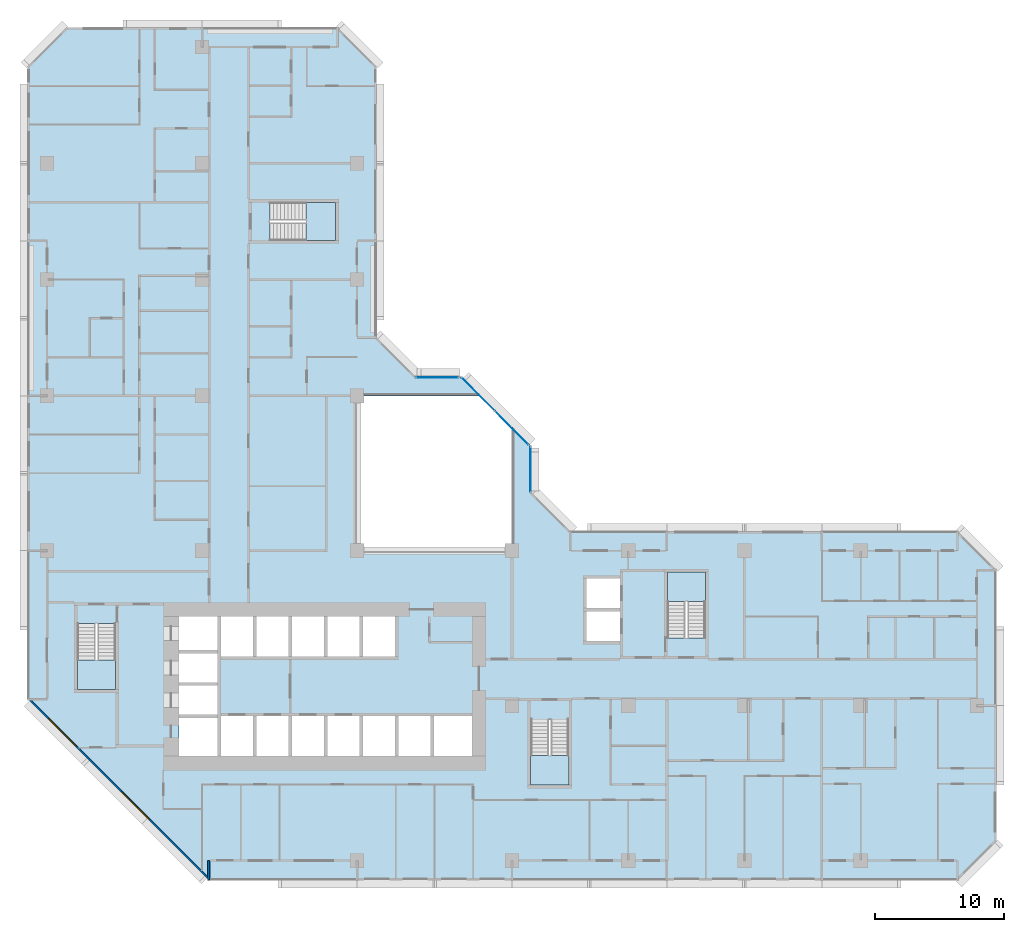
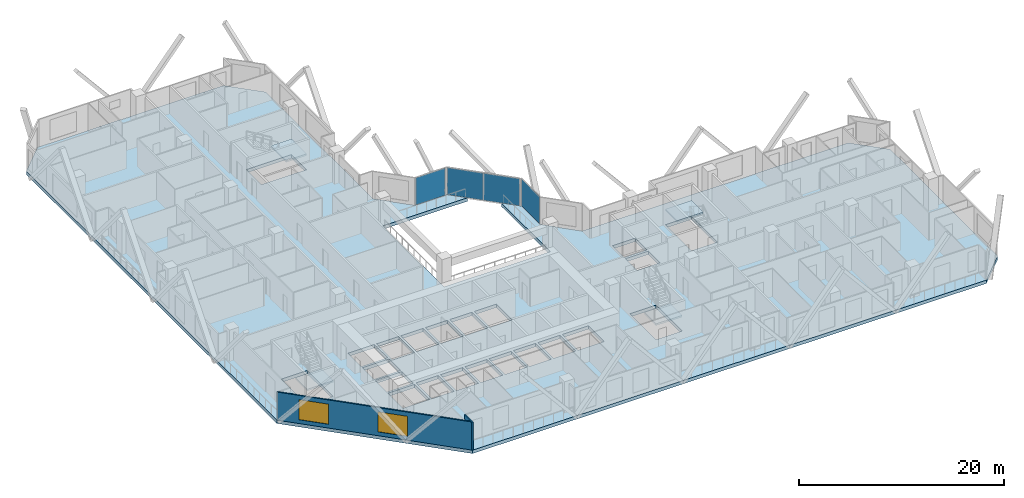
# One storey, part 3 of 15: 5 slabs, 4 plates, 2 walls, 2 windows, 2 openings, 7 elements without a shape of their own.
"""IFC4 building model written with IfcOpenShell, lengths in metres."""

import ifcopenshell
import ifcopenshell.guid

model = None  # the IFC model being written
_history = None  # IfcOwnerHistory: only IFC2X3 demands one
_inside = {}  # id of a spatial element -> (the spatial element, [elements in it])
_under = {}  # id of a project, library or spatial element -> (it, [spatial elements below it])
_declared = {}  # id of a project -> (the project, [libraries it declares])
_typed = {}  # id of a type object -> (the type object, [elements of that type])
_made_of = {}  # id of a material, layer set ... -> (it, [elements and type objects made of it])


def new_model(schema):
    """Start an empty IFC model of exactly this schema.

    Asked for "IFC4X3", IfcOpenShell would pick the latest addendum, in which some entities
    have other attributes; the version numbers below select the first issue.
    IFC2X3 requires an IfcOwnerHistory on every rooted entity: one is made here for all.
    """
    global model, _history
    if schema == "IFC4X3":
        model = ifcopenshell.file(schema_version=(4, 3, 0, 0))
    else:
        model = ifcopenshell.file(schema=schema)
    _inside.clear()
    _under.clear()
    _declared.clear()
    _typed.clear()
    _made_of.clear()
    _history = None
    if model.schema == "IFC2X3":
        org = make("IfcOrganization", Name="unknown")
        user = make(
            "IfcPersonAndOrganization",
            ThePerson=make("IfcPerson", FamilyName="unknown"),
            TheOrganization=org,
        )
        app = make(
            "IfcApplication",
            ApplicationDeveloper=org,
            Version="unknown",
            ApplicationFullName="unknown",
            ApplicationIdentifier="unknown",
        )
        _history = make(
            "IfcOwnerHistory",
            OwningUser=user,
            OwningApplication=app,
            ChangeAction="ADDED",
            CreationDate=0,
        )
    return model


def make(cls, **values):
    """One entity of the class cls with the attributes given. An attribute that is None is left unset."""
    return model.create_entity(
        cls, **{name: value for name, value in values.items() if value is not None}
    )


def rooted(cls, **values):
    """An entity with a GlobalId (a new one), such as an element, a storey or a relation."""
    return make(cls, GlobalId=ifcopenshell.guid.new(), OwnerHistory=_history, **values)


def si_unit(unit_type, name, prefix=None):
    """IfcSIUnit, for example si_unit("LENGTHUNIT", "METRE", prefix="MILLI")."""
    return make("IfcSIUnit", UnitType=unit_type, Prefix=prefix, Name=name)


def assignment(units):
    """IfcUnitAssignment: the units of a project."""
    return None if units is None else make("IfcUnitAssignment", Units=units)


def point(xyz):
    """IfcCartesianPoint."""
    return None if xyz is None else make("IfcCartesianPoint", Coordinates=xyz)


def direction(xyz):
    """IfcDirection."""
    return None if xyz is None else make("IfcDirection", DirectionRatios=xyz)


def frame(location, z_axis=None, x_axis=None):
    """IfcAxis2Placement3D, a coordinate frame: its origin and axes. An axis left out is left unset."""
    return make(
        "IfcAxis2Placement3D",
        Location=point(location),
        Axis=direction(z_axis),
        RefDirection=direction(x_axis),
    )


def frame_2d(location, x_axis=None):
    """IfcAxis2Placement2D, a coordinate frame in the plane: its origin and x axis."""
    return make(
        "IfcAxis2Placement2D", Location=point(location), RefDirection=direction(x_axis)
    )


def origin():
    """The frame at (0, 0, 0) with its axes left unset."""
    return frame((0.0, 0.0, 0.0))


def origin_2d():
    """The frame at (0, 0) in the plane with its x axis left unset."""
    return frame_2d((0.0, 0.0))


def place(relative_to, where):
    """IfcLocalPlacement: puts the frame where relative to a parent placement (None: the world)."""
    return make(
        "IfcLocalPlacement", PlacementRelTo=relative_to, RelativePlacement=where
    )


def context(
    kind, dimensions, precision=None, world=None, true_north=None, identifier=None
):
    """IfcGeometricRepresentationContext, for example the 3D "Model" context."""
    return make(
        "IfcGeometricRepresentationContext",
        ContextIdentifier=identifier,
        ContextType=kind,
        CoordinateSpaceDimension=dimensions,
        Precision=precision,
        WorldCoordinateSystem=world,
        TrueNorth=true_north,
    )


def subcontext(parent, identifier, kind, view, scale=None):
    """IfcGeometricRepresentationSubContext, for example "Body" below "Model"."""
    return make(
        "IfcGeometricRepresentationSubContext",
        ContextIdentifier=identifier,
        ContextType=kind,
        ParentContext=parent,
        TargetScale=scale,
        TargetView=view,
    )


def project(units=None, contexts=None):
    """IfcProject with its units and contexts."""
    return rooted(
        "IfcProject",
        Name="project",
        RepresentationContexts=contexts,
        UnitsInContext=assignment(units),
    )


def spatial(cls, under=None, at=None, **own):
    """A site, building, storey or space (cls), placed at a placement, below another one or the project."""
    s = rooted(cls, ObjectPlacement=at, **own)
    if under is not None:
        _under.setdefault(under.id(), (under, []))[1].append(s)
    return s


def polyline(points):
    """IfcPolyline through the points."""
    return make("IfcPolyline", Points=[point(p) for p in points])


def profile(cls, at=None, kind="AREA", **sizes):
    """A parametric profile (cls). Its sizes go by their IFC names, for example OverallWidth=200.0."""
    return make(cls, ProfileType=kind, Position=at, **sizes)


def rectangle(**sizes):
    """IfcRectangleProfileDef."""
    return profile("IfcRectangleProfileDef", **sizes)


def outline(outer, holes=None, kind="AREA"):
    """IfcArbitraryClosedProfileDef: a profile drawn as a closed curve; with holes, ...WithVoids."""
    if holes is None:
        return make("IfcArbitraryClosedProfileDef", ProfileType=kind, OuterCurve=outer)
    return make(
        "IfcArbitraryProfileDefWithVoids",
        ProfileType=kind,
        OuterCurve=outer,
        InnerCurves=holes,
    )


def extrude(swept, where, along, depth):
    """IfcExtrudedAreaSolid: the profile swept, set in the frame where, extruded along a direction by depth."""
    return make(
        "IfcExtrudedAreaSolid",
        SweptArea=swept,
        Position=where,
        ExtrudedDirection=direction(along),
        Depth=depth,
    )


def shape(context_of_items, identifier, shape_type, items):
    """IfcShapeRepresentation: the items that make up one representation, for example the "Body"."""
    return make(
        "IfcShapeRepresentation",
        ContextOfItems=context_of_items,
        RepresentationIdentifier=identifier,
        RepresentationType=shape_type,
        Items=items,
    )


def material(Name=None, Category=None):
    """IfcMaterial."""
    return make("IfcMaterial", Name=Name, Category=Category)


def layer(
    of_material, thickness, ventilated=None, Name=None, Category=None, Priority=None
):
    """IfcMaterialLayer: one layer of a wall or slab, of a material (None: an air gap)."""
    return make(
        "IfcMaterialLayer",
        Material=of_material,
        LayerThickness=thickness,
        IsVentilated=ventilated,
        Name=Name,
        Category=Category,
        Priority=Priority,
    )


def layer_set(layers, Name=None):
    """IfcMaterialLayerSet."""
    return make("IfcMaterialLayerSet", MaterialLayers=layers, LayerSetName=Name)


def made_of(thing, what):
    """Note that an element or type object is made of a material, layer set ...; save() writes the relation."""
    if what is not None:
        _made_of.setdefault(what.id(), (what, []))[1].append(thing)
    return thing


def type_object(cls, material=None, **own):
    """A type object (cls), such as IfcWallType, which elements share."""
    return made_of(rooted(cls, **own), material)


def element(
    cls,
    number,
    at=None,
    inside=None,
    cuts=None,
    type_object=None,
    material=None,
    context=None,
    identifier="Body",
    shape_type=None,
    held_by="IfcProductDefinitionShape",
    body=None,
    shapes=None,
    **own,
):
    """One element of the class cls, such as IfcWall. Its Tag is "e" and its number.

    at: its placement. inside: the storey or other place that contains it. cuts: it is an
    opening in that element (IfcRelVoidsElement). A single representation is given by context,
    identifier, shape_type and body (its items); several are given by shapes. held_by: the class
    of the entity that holds the representations. save() writes the other relations.
    """
    e = rooted(cls, Tag="e%d" % number, ObjectPlacement=at, **own)
    if body is not None:
        shapes = [shape(context, identifier, shape_type, body)]
    if shapes is not None:
        e.Representation = make(held_by, Representations=shapes)
    if inside is not None:
        _inside.setdefault(inside.id(), (inside, []))[1].append(e)
    if cuts is not None:
        rooted(
            "IfcRelVoidsElement", RelatingBuildingElement=cuts, RelatedOpeningElement=e
        )
    if type_object is not None:
        _typed.setdefault(type_object.id(), (type_object, []))[1].append(e)
    return made_of(e, material)


def fill(opening, filler):
    """IfcRelFillsElement: the door or window that sits in an opening."""
    return rooted(
        "IfcRelFillsElement",
        RelatingOpeningElement=opening,
        RelatedBuildingElement=filler,
    )


def aggregate(whole, parts):
    """IfcRelAggregates: a whole, such as a stair, and the parts it consists of."""
    return rooted("IfcRelAggregates", RelatingObject=whole, RelatedObjects=parts)


def save(model, path):
    """Write the relations noted so far, then the file.

    IfcRelAggregates (storeys below a building ...), IfcRelContainedInSpatialStructure (elements
    in a storey), IfcRelDefinesByType, IfcRelAssociatesMaterial and IfcRelDeclares: one each for
    every whole, place, type object, material and project.
    """
    for whole, parts in _under.values():
        aggregate(whole, parts)
    for where, things in _inside.values():
        rooted(
            "IfcRelContainedInSpatialStructure",
            RelatedElements=things,
            RelatingStructure=where,
        )
    for kind, things in _typed.values():
        rooted("IfcRelDefinesByType", RelatedObjects=things, RelatingType=kind)
    for what, things in _made_of.values():
        rooted("IfcRelAssociatesMaterial", RelatedObjects=things, RelatingMaterial=what)
    for by, libraries in _declared.values():
        rooted("IfcRelDeclares", RelatingContext=by, RelatedDefinitions=libraries)
    model.write(path)


model = new_model("IFC4")

# Units and contexts
model_context = context("Model", 3, precision=1e-05, world=origin(), true_north=direction((0.0, 1.0)))
body_context = subcontext(model_context, "Body", "Model", "MODEL_VIEW")
ifc_project = project(units=[si_unit("LENGTHUNIT", "METRE"), si_unit("AREAUNIT", "SQUARE_METRE"), si_unit("VOLUMEUNIT", "CUBIC_METRE"), si_unit("PLANEANGLEUNIT", "RADIAN"), si_unit("MASSUNIT", "GRAM", prefix="KILO")], contexts=[model_context])

# Site, building, storey
site_placement = place(None, origin())
site = spatial("IfcSite", under=ifc_project, at=site_placement, CompositionType="ELEMENT")
building_placement = place(site_placement, origin())
building = spatial("IfcBuilding", under=site, at=building_placement, Name="Chenar Terraces", CompositionType="ELEMENT")
storey_placement = place(building_placement, frame((0.0, 0.0, 41.39990234375)))
storey = spatial("IfcBuildingStorey", under=building, at=storey_placement, Name="L07", CompositionType="ELEMENT", Elevation=41.39990234375)

# Curtain wall, plate
ifc_material_1 = material(Name="Aluminium framed glazing", Category="aluminium")
ifc_layer_1 = layer(ifc_material_1, 0.14990234375)
ifc_layer_set_1 = layer_set([ifc_layer_1], Name="Aluminium framed glazing")
curtain_wall_type = type_object("IfcCurtainWallType", Name="Atrium curtain wall", PredefinedType="NOTDEFINED", material=ifc_layer_set_1)
placement_1 = place(storey_placement, origin())
curtain_wall_1 = element("IfcCurtainWall", 1, at=placement_1, inside=storey, type_object=curtain_wall_type, Name="Atrium curtain wall", PredefinedType="NOTDEFINED")
ifc_material_2 = material(Name="Low emissivity laminated glass, solar control coating", Category="glass")
ifc_layer_2 = layer(ifc_material_2, 0.028076171875)
ifc_layer_set_2 = layer_set([ifc_layer_2], Name="Low emissivity laminated glass, solar control coating")
plate_type = type_object("IfcPlateType", Name="Atrium glazing panel 28", PredefinedType="CURTAIN_PANEL", material=ifc_layer_set_2)
plate_1_placement = place(storey_placement, frame((37.425048828125, 30.300048828125, 0.06005859375), z_axis=(0.0, 0.0, 1.0), x_axis=(0.0, 1.0, 0.0)))
plate_1 = element("IfcPlate", 2, at=plate_1_placement, type_object=plate_type, Name="CW1-1 panel 1.1", PredefinedType="CURTAIN_PANEL", context=body_context, shape_type="SweptSolid", body=[
    extrude(rectangle(XDim=3.47998046875, YDim=0.028076171875, at=origin_2d()), origin(), (0.0, 0.0, 1.0), 3.22998046875),
])
aggregate(curtain_wall_1, [plate_1])

# Curtain wall, plates
curtain_wall_2 = element("IfcCurtainWall", 3, at=placement_1, inside=storey, type_object=curtain_wall_type, Name="Atrium curtain wall", PredefinedType="NOTDEFINED")
plate_2_placement = place(storey_placement, frame((35.980224609375, 33.513671875, 0.06005859375), z_axis=(0.0, 0.0, 1.0), x_axis=(-0.707106781187, 0.707106781187, 0.0)))
plate_2 = element("IfcPlate", 4, at=plate_2_placement, type_object=plate_type, Name="CW1-2 panel 1.1", PredefinedType="CURTAIN_PANEL", context=body_context, shape_type="SweptSolid", body=[
    extrude(rectangle(XDim=3.62841796875, YDim=0.028076171875, at=origin_2d()), origin(), (0.0, 0.0, 1.0), 3.22998046875),
])
plate_3_placement = place(storey_placement, frame((33.3720703125, 36.121826171875, 0.06005859375), z_axis=(0.0, 0.0, 1.0), x_axis=(-0.707106781187, 0.707106781187, 0.0)))
plate_3 = element("IfcPlate", 5, at=plate_3_placement, type_object=plate_type, Name="CW1-2 panel 2.1", PredefinedType="CURTAIN_PANEL", context=body_context, shape_type="SweptSolid", body=[
    extrude(rectangle(XDim=3.62841796875, YDim=0.028076171875, at=origin_2d()), origin(), (0.0, 0.0, 1.0), 3.22998046875),
])
aggregate(curtain_wall_2, [plate_2, plate_3])

# Curtain wall, plate
curtain_wall_3 = element("IfcCurtainWall", 6, at=placement_1, inside=storey, type_object=curtain_wall_type, Name="Atrium curtain wall", PredefinedType="NOTDEFINED")
plate_4_placement = place(storey_placement, frame((30.199951171875, 37.425048828125, 0.06005859375), z_axis=(0.0, 0.0, 1.0), x_axis=(-1.0, 0.0, 0.0)))
plate_4 = element("IfcPlate", 7, at=plate_4_placement, type_object=plate_type, Name="CW1-3 panel 1.1", PredefinedType="CURTAIN_PANEL", context=body_context, shape_type="SweptSolid", body=[
    extrude(rectangle(XDim=3.280029296875, YDim=0.028076171875, at=origin_2d()), origin(), (0.0, 0.0, 1.0), 3.22998046875),
])
aggregate(curtain_wall_3, [plate_4])

# Stair, slab
ifc_material_3 = material(Name="Reinforced concrete C40/50", Category="concrete")
stair_type = type_object("IfcStairType", Name="Core stair 1400 half-turn", PredefinedType="HALF_TURN_STAIR", material=ifc_material_3)
stair_1 = element("IfcStair", 8, at=placement_1, inside=storey, type_object=stair_type, Name="L07 Stair 1", PredefinedType="HALF_TURN_STAIR")
ifc_material_4 = material(Name="Reinforced concrete C40/50", Category="concrete")
ifc_layer_3 = layer(ifc_material_4, 0.199951171875)
ifc_layer_set_3 = layer_set([ifc_layer_3], Name="Reinforced concrete C40/50")
slab_type_1 = type_object("IfcSlabType", Name="Core stair landing 200", PredefinedType="LANDING", material=ifc_layer_set_3)
placement_2 = place(storey_placement, frame((0.0, 0.0, 1.675048828125)))
slab_1 = element("IfcSlab", 9, at=placement_2, type_object=slab_type_1, Name="ST1 landing 1", PredefinedType="LANDING", context=body_context, shape_type="SweptSolid", body=[
    extrude(outline(polyline([(2.35009765625, 15.550048828125), (2.35009765625, 13.25), (5.300048828125, 13.25), (5.300048828125, 15.550048828125), (2.35009765625, 15.550048828125)])), origin(), (0.0, 0.0, 1.0), 0.199951171875),
])
aggregate(stair_1, [slab_1])

stair_2 = element("IfcStair", 10, at=placement_1, inside=storey, type_object=stair_type, Name="L07 Stair 2", PredefinedType="HALF_TURN_STAIR")
slab_2 = element("IfcSlab", 11, at=placement_2, type_object=slab_type_1, Name="ST2 landing 1", PredefinedType="LANDING", context=body_context, shape_type="SweptSolid", body=[
    extrude(outline(polyline([(37.449951171875, 8.14990234375), (37.449951171875, 5.85009765625), (40.39990234375, 5.85009765625), (40.39990234375, 8.14990234375), (37.449951171875, 8.14990234375)])), origin(), (0.0, 0.0, 1.0), 0.199951171875),
])
aggregate(stair_2, [slab_2])

stair_3 = element("IfcStair", 12, at=placement_1, inside=storey, type_object=stair_type, Name="L07 Stair 3", PredefinedType="HALF_TURN_STAIR")
slab_3 = element("IfcSlab", 13, at=placement_2, type_object=slab_type_1, Name="ST3 landing 1", PredefinedType="LANDING", context=body_context, shape_type="SweptSolid", body=[
    extrude(outline(polyline([(50.97509765625, 20.050048828125), (50.97509765625, 22.35009765625), (48.02490234375, 22.35009765625), (48.02490234375, 20.050048828125), (50.97509765625, 20.050048828125)])), origin(), (0.0, 0.0, 1.0), 0.199951171875),
])
aggregate(stair_3, [slab_3])

stair_4 = element("IfcStair", 14, at=placement_1, inside=storey, type_object=stair_type, Name="L07 Stair 4", PredefinedType="HALF_TURN_STAIR")
slab_4 = element("IfcSlab", 15, at=placement_2, type_object=slab_type_1, Name="ST4 landing 1", PredefinedType="LANDING", context=body_context, shape_type="SweptSolid", body=[
    extrude(outline(polyline([(20.050048828125, 48.02490234375), (22.35009765625, 48.02490234375), (22.35009765625, 50.97509765625), (20.050048828125, 50.97509765625), (20.050048828125, 48.02490234375)])), origin(), (0.0, 0.0, 1.0), 0.199951171875),
])
aggregate(stair_4, [slab_4])

# Slab
ifc_material_5 = material(Name="Concrete C40/50", Category="concrete")
ifc_layer_4 = layer(ifc_material_5, 0.39990234375)
ifc_layer_set_4 = layer_set([ifc_layer_4], Name="Concrete C40/50")
slab_type_2 = type_object("IfcSlabType", Name="Floor slab 400 Concrete C40/50", PredefinedType="FLOOR", material=ifc_layer_set_4)
slab_5_placement = place(storey_placement, frame((0.0, 0.0, -0.39990234375)))
element("IfcSlab", 16, at=slab_5_placement, inside=storey, type_object=slab_type_2, Name="Floor slab L07", PredefinedType="FLOOR", context=body_context, shape_type="SweptSolid", body=[
    extrude(outline(polyline([(73.5, 22.5), (73.5, 1.5), (70.5, -1.5), (12.5, -1.5), (-1.5, 12.5), (-1.5, 61.5), (1.5, 64.5), (22.5, 64.5), (25.5, 61.5), (25.5, 40.5), (28.5, 37.5), (32.10009765625, 37.5), (33.60009765625, 36.0), (24.0, 36.0), (24.0, 24.0), (36.0, 24.0), (36.0, 33.60009765625), (37.5, 32.10009765625), (37.5, 28.5), (40.5, 25.5), (70.5, 25.5), (73.5, 22.5)]), holes=[polyline([(13.199951171875, 11.050048828125), (10.199951171875, 11.050048828125), (10.199951171875, 8.10009765625), (13.199951171875, 8.10009765625), (13.199951171875, 11.050048828125)]), polyline([(15.949951171875, 11.199951171875), (13.449951171875, 11.199951171875), (13.449951171875, 8.10009765625), (15.949951171875, 8.10009765625), (15.949951171875, 11.199951171875)]), polyline([(18.699951171875, 11.199951171875), (16.199951171875, 11.199951171875), (16.199951171875, 8.10009765625), (18.699951171875, 8.10009765625), (18.699951171875, 11.199951171875)]), polyline([(21.449951171875, 8.10009765625), (21.449951171875, 11.199951171875), (18.949951171875, 11.199951171875), (18.949951171875, 8.10009765625), (21.449951171875, 8.10009765625)]), polyline([(13.199951171875, 11.300048828125), (13.199951171875, 13.550048828125), (10.199951171875, 13.550048828125), (10.199951171875, 11.300048828125), (13.199951171875, 11.300048828125)]), polyline([(13.199951171875, 16.050048828125), (10.199951171875, 16.050048828125), (10.199951171875, 13.800048828125), (13.199951171875, 13.800048828125), (13.199951171875, 16.050048828125)]), polyline([(2.35009765625, 18.35009765625), (2.35009765625, 13.25), (5.300048828125, 13.25), (5.300048828125, 18.35009765625), (2.35009765625, 18.35009765625)]), polyline([(15.949951171875, 15.800048828125), (15.949951171875, 18.89990234375), (13.449951171875, 18.89990234375), (13.449951171875, 15.800048828125), (15.949951171875, 15.800048828125)]), polyline([(18.699951171875, 18.89990234375), (16.199951171875, 18.89990234375), (16.199951171875, 15.800048828125), (18.699951171875, 15.800048828125), (18.699951171875, 18.89990234375)]), polyline([(21.449951171875, 15.800048828125), (21.449951171875, 18.89990234375), (18.949951171875, 18.89990234375), (18.949951171875, 15.800048828125), (21.449951171875, 15.800048828125)]), polyline([(13.199951171875, 16.300048828125), (13.199951171875, 18.89990234375), (10.199951171875, 18.89990234375), (10.199951171875, 16.300048828125), (13.199951171875, 16.300048828125)]), polyline([(22.35009765625, 48.02490234375), (22.35009765625, 50.97509765625), (17.25, 50.97509765625), (17.25, 48.02490234375), (22.35009765625, 48.02490234375)]), polyline([(37.449951171875, 10.949951171875), (37.449951171875, 5.85009765625), (40.39990234375, 5.85009765625), (40.39990234375, 10.949951171875), (37.449951171875, 10.949951171875)]), polyline([(24.199951171875, 8.10009765625), (24.199951171875, 11.199951171875), (21.699951171875, 11.199951171875), (21.699951171875, 8.10009765625), (24.199951171875, 8.10009765625)]), polyline([(26.949951171875, 11.199951171875), (24.449951171875, 11.199951171875), (24.449951171875, 8.10009765625), (26.949951171875, 8.10009765625), (26.949951171875, 11.199951171875)]), polyline([(29.699951171875, 8.10009765625), (29.699951171875, 11.199951171875), (27.199951171875, 11.199951171875), (27.199951171875, 8.10009765625), (29.699951171875, 8.10009765625)]), polyline([(32.89990234375, 8.10009765625), (32.89990234375, 11.199951171875), (29.949951171875, 11.199951171875), (29.949951171875, 8.10009765625), (32.89990234375, 8.10009765625)]), polyline([(24.199951171875, 18.89990234375), (21.699951171875, 18.89990234375), (21.699951171875, 15.800048828125), (24.199951171875, 15.800048828125), (24.199951171875, 18.89990234375)]), polyline([(26.949951171875, 15.800048828125), (26.949951171875, 18.89990234375), (24.449951171875, 18.89990234375), (24.449951171875, 15.800048828125), (26.949951171875, 15.800048828125)]), polyline([(44.35009765625, 17.0), (44.35009765625, 19.300048828125), (41.75, 19.300048828125), (41.75, 17.0), (44.35009765625, 17.0)]), polyline([(50.97509765625, 22.35009765625), (48.02490234375, 22.35009765625), (48.02490234375, 17.25), (50.97509765625, 17.25), (50.97509765625, 22.35009765625)]), polyline([(44.35009765625, 19.550048828125), (44.35009765625, 21.85009765625), (41.75, 21.85009765625), (41.75, 19.550048828125), (44.35009765625, 19.550048828125)])]), origin(), (0.0, 0.0, 1.0), 0.39990234375),
])

# Wall
ifc_material_6 = material(Name="Terracotta cladding on insulated backing", Category="masonry")
ifc_layer_5 = layer(ifc_material_6, 0.14990234375)
ifc_layer_set_5 = layer_set([ifc_layer_5], Name="Terracotta cladding on insulated backing")
wall_type_1 = type_object("IfcWallType", Name="Loggia return wall 150", PredefinedType="SOLIDWALL", material=ifc_layer_set_5)
wall_1_placement = place(storey_placement, frame((12.5, -1.5, 0.0), z_axis=(0.0, 0.0, 1.0), x_axis=(0.0, 1.0, 0.0)))
element("IfcWall", 17, at=wall_1_placement, inside=storey, type_object=wall_type_1, Name="Loggia return wall", PredefinedType="SOLIDWALL", context=body_context, shape_type="SweptSolid", body=[
    extrude(rectangle(XDim=1.5, YDim=0.14990234375, at=frame_2d((0.75, 0.0))), origin(), (0.0, 0.0, 1.0), 3.35009765625),
])

# Wall, openings, windows
ifc_material_7 = material(Name="Terracotta cladding on insulated backing", Category="masonry")
ifc_layer_6 = layer(ifc_material_7, 0.14990234375)
ifc_layer_set_6 = layer_set([ifc_layer_6], Name="Terracotta cladding on insulated backing")
wall_type_2 = type_object("IfcWallType", Name="Terracotta rainscreen wall 150", PredefinedType="SOLIDWALL", material=ifc_layer_set_6)
wall_2_placement = place(storey_placement, frame((-1.447021484375, 12.552978515625, 0.0), z_axis=(0.0, 0.0, 1.0), x_axis=(0.707106781187, -0.707106781187, 0.0)))
wall_2 = element("IfcWall", 18, at=wall_2_placement, inside=storey, type_object=wall_type_2, Name="Terracotta rainscreen wall", PredefinedType="SOLIDWALL", context=body_context, shape_type="SweptSolid", body=[
    extrude(rectangle(XDim=19.799072265625, YDim=0.14990234375, at=frame_2d((9.8994140625, 0.0))), origin(), (0.0, 0.0, 1.0), 3.35009765625),
])
opening_1_placement = place(wall_2_placement, frame((2.21240234375, 0.0, 0.449951171875)))
opening_1 = element("IfcOpeningElement", 19, at=opening_1_placement, cuts=wall_2, Name="Opening W300x240", PredefinedType="OPENING", context=body_context, shape_type="SweptSolid", body=[
    extrude(rectangle(XDim=3.0, YDim=2.39990234375, at=frame_2d((1.5, 1.199951171875))), frame((0.0, 0.0849609375, 0.0), z_axis=(0.0, -1.0, 0.0), x_axis=(1.0, 0.0, 0.0)), (0.0, 0.0, 1.0), 0.169921875),
])
opening_2_placement = place(wall_2_placement, frame((10.215576171875, 0.0, 0.449951171875)))
opening_2 = element("IfcOpeningElement", 20, at=opening_2_placement, cuts=wall_2, Name="Opening W300x240", PredefinedType="OPENING", context=body_context, shape_type="SweptSolid", body=[
    extrude(rectangle(XDim=3.0, YDim=2.39990234375, at=frame_2d((1.5, 1.199951171875))), frame((0.0, 0.0849609375, 0.0), z_axis=(0.0, -1.0, 0.0), x_axis=(1.0, 0.0, 0.0)), (0.0, 0.0, 1.0), 0.169921875),
])
ifc_material_8 = material(Name="Low emissivity double glazing, aluminium frame", Category="aluminium")
window_type = type_object("IfcWindowType", Name="Fixed light 3000 x 2400", PartitioningType="SINGLE_PANEL", PredefinedType="WINDOW", material=ifc_material_8)
window_1_placement = place(opening_1_placement, origin())
window_1 = element("IfcWindow", 21, at=window_1_placement, inside=storey, type_object=window_type, Name="Window", OverallHeight=2.39990234375, OverallWidth=3.0, PartitioningType="SINGLE_PANEL", PredefinedType="WINDOW", context=body_context, shape_type="SweptSolid", body=[
    extrude(rectangle(XDim=3.0, YDim=2.39990234375, at=frame_2d((1.5, 1.199951171875))), frame((0.0, 0.030029296875, 0.0), z_axis=(0.0, -1.0, 0.0), x_axis=(1.0, 0.0, 0.0)), (0.0, 0.0, 1.0), 0.06005859375),
])
fill(opening_1, window_1)
window_2_placement = place(opening_2_placement, origin())
window_2 = element("IfcWindow", 22, at=window_2_placement, inside=storey, type_object=window_type, Name="Window", OverallHeight=2.39990234375, OverallWidth=3.0, PartitioningType="SINGLE_PANEL", PredefinedType="WINDOW", context=body_context, shape_type="SweptSolid", body=[
    extrude(rectangle(XDim=3.0, YDim=2.39990234375, at=frame_2d((1.5, 1.199951171875))), frame((0.0, 0.030029296875, 0.0), z_axis=(0.0, -1.0, 0.0), x_axis=(1.0, 0.0, 0.0)), (0.0, 0.0, 1.0), 0.06005859375),
])
fill(opening_2, window_2)

save(model, "model.ifc")
